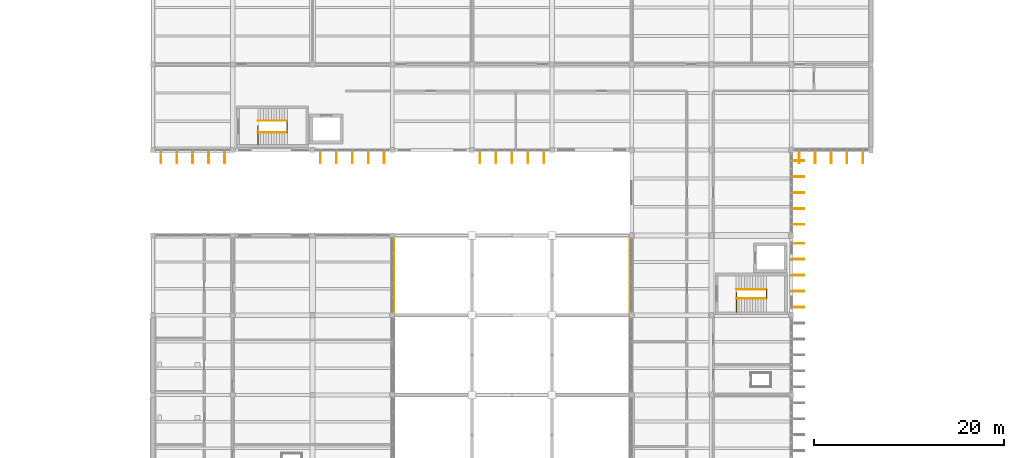
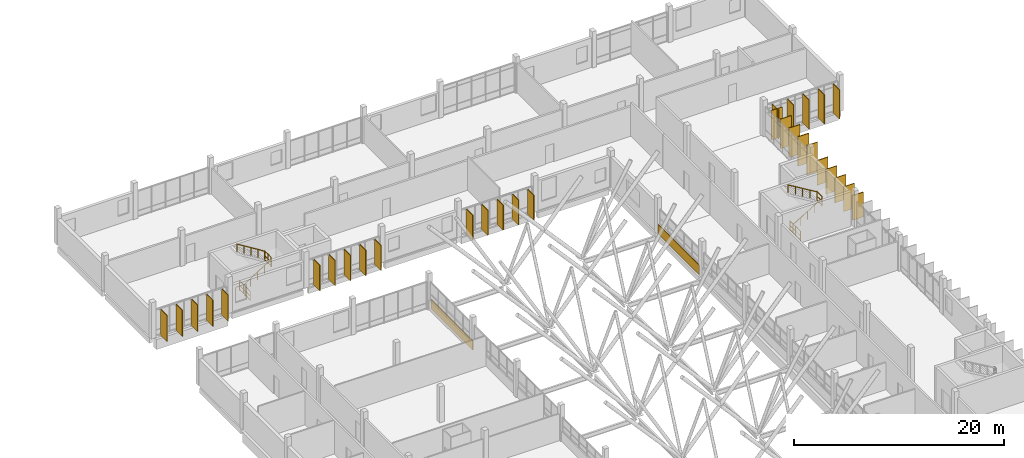
# One storey, part 106 of 107: 30 shading devices, 8 railings, 2 coverings.
"""IFC4 building model written with IfcOpenShell, lengths in metres."""

from ifc_helpers import new_model, si_unit, direction, frame, origin, origin_2d, place, context, subcontext, project, spatial, rectangle, circle, extrude, material, layer, layer_set, material_profile, profile_set, type_object, element, save


model = new_model("IFC4")

# Units and contexts
model_context = context("Model", 3, precision=1e-05, world=origin(), true_north=direction((0.0, 1.0)))
body_context = subcontext(model_context, "Body", "Model", "MODEL_VIEW")
ifc_project = project(units=[si_unit("LENGTHUNIT", "METRE"), si_unit("AREAUNIT", "SQUARE_METRE"), si_unit("VOLUMEUNIT", "CUBIC_METRE"), si_unit("PLANEANGLEUNIT", "RADIAN"), si_unit("MASSUNIT", "GRAM", prefix="KILO")], contexts=[model_context])

# Site, building, storey
site_placement = place(None, origin())
site = spatial("IfcSite", under=ifc_project, at=site_placement, CompositionType="ELEMENT")
building_placement = place(site_placement, origin())
building = spatial("IfcBuilding", under=site, at=building_placement, Name="Vireocrest Preparatory School", CompositionType="ELEMENT")
storey_placement = place(building_placement, frame((0.0, 0.0, 13.199951171875)))
storey = spatial("IfcBuildingStorey", under=building, at=storey_placement, Name="L03", CompositionType="ELEMENT", Elevation=13.199951171875)

# Railings
ifc_material_1 = material(Name="Brushed stainless steel AISI 316", Category="steel")
railing_type_1 = type_object("IfcRailingType", Name="Post-and-Rail Guard Balustrade 1120", PredefinedType="BALUSTRADE", material=ifc_material_1)
railing_1_placement = place(storey_placement, frame((53.080078125, 95.35009765625, 0.0)))
element("IfcRailing", 1, at=railing_1_placement, inside=storey, type_object=railing_type_1, Name="Arrival Landing Guard ST3-L02", PredefinedType="BALUSTRADE", context=body_context, shape_type="SweptSolid", body=[
    extrude(circle(Radius=0.02392578125, at=origin_2d()), frame((0.0, 0.0, 1.09619140625), z_axis=(0.0, 1.0, 0.0), x_axis=(-1.0, 0.0, 0.0)), (0.0, 0.0, 1.0), 2.02001953125),
    extrude(circle(Radius=0.01806640625, at=origin_2d()), frame((0.0, 0.0, 0.56005859375), z_axis=(0.0, 1.0, 0.0), x_axis=(-1.0, 0.0, 0.0)), (0.0, 0.0, 1.0), 2.02001953125),
    extrude(circle(Radius=0.01806640625, at=origin_2d()), frame((0.0, 0.0, 0.10009765625), z_axis=(0.0, 1.0, 0.0), x_axis=(-1.0, 0.0, 0.0)), (0.0, 0.0, 1.0), 2.02001953125),
    extrude(circle(Radius=0.02099609375, at=origin_2d()), origin(), (0.0, 0.0, 1.0), 1.072021484375),
    extrude(circle(Radius=0.02099609375, at=origin_2d()), frame((0.0, 1.010009765625, 0.0)), (0.0, 0.0, 1.0), 1.072021484375),
    extrude(circle(Radius=0.02099609375, at=origin_2d()), frame((0.0, 2.02001953125, 0.0)), (0.0, 0.0, 1.0), 1.072021484375),
])
railing_2_placement = place(storey_placement, frame((56.1201171875, 96.6298828125, 2.10009765625)))
element("IfcRailing", 2, at=railing_2_placement, inside=storey, type_object=railing_type_1, Name="Half-Landing Well Guard ST3-L03", PredefinedType="BALUSTRADE", context=body_context, shape_type="SweptSolid", body=[
    extrude(circle(Radius=0.02392578125, at=origin_2d()), frame((0.0, 0.0, 1.09619140625), z_axis=(0.0, 1.0, 0.0), x_axis=(-1.0, 0.0, 0.0)), (0.0, 0.0, 1.0), 1.240234375),
    extrude(circle(Radius=0.01806640625, at=origin_2d()), frame((0.0, 0.0, 0.56005859375), z_axis=(0.0, 1.0, 0.0), x_axis=(-1.0, 0.0, 0.0)), (0.0, 0.0, 1.0), 1.240234375),
    extrude(circle(Radius=0.01806640625, at=origin_2d()), frame((0.0, 0.0, 0.10009765625), z_axis=(0.0, 1.0, 0.0), x_axis=(-1.0, 0.0, 0.0)), (0.0, 0.0, 1.0), 1.240234375),
    extrude(circle(Radius=0.02099609375, at=origin_2d()), origin(), (0.0, 0.0, 1.0), 1.072021484375),
    extrude(circle(Radius=0.02099609375, at=origin_2d()), frame((0.0, 0.6201171875, 0.0)), (0.0, 0.0, 1.0), 1.072021484375),
    extrude(circle(Radius=0.02099609375, at=origin_2d()), frame((0.0, 1.240234375, 0.0)), (0.0, 0.0, 1.0), 1.072021484375),
])
railing_3_placement = place(storey_placement, frame((103.425048828125, 77.75, 0.0)))
element("IfcRailing", 3, at=railing_3_placement, inside=storey, type_object=railing_type_1, Name="Arrival Landing Guard ST4-L02", PredefinedType="BALUSTRADE", context=body_context, shape_type="SweptSolid", body=[
    extrude(circle(Radius=0.02392578125, at=origin_2d()), frame((0.0, 0.0, 1.09619140625), z_axis=(0.0, 1.0, 0.0), x_axis=(-1.0, 0.0, 0.0)), (0.0, 0.0, 1.0), 2.02001953125),
    extrude(circle(Radius=0.01806640625, at=origin_2d()), frame((0.0, 0.0, 0.56005859375), z_axis=(0.0, 1.0, 0.0), x_axis=(-1.0, 0.0, 0.0)), (0.0, 0.0, 1.0), 2.02001953125),
    extrude(circle(Radius=0.01806640625, at=origin_2d()), frame((0.0, 0.0, 0.10009765625), z_axis=(0.0, 1.0, 0.0), x_axis=(-1.0, 0.0, 0.0)), (0.0, 0.0, 1.0), 2.02001953125),
    extrude(circle(Radius=0.02099609375, at=origin_2d()), origin(), (0.0, 0.0, 1.0), 1.072021484375),
    extrude(circle(Radius=0.02099609375, at=origin_2d()), frame((0.0, 1.010009765625, 0.0)), (0.0, 0.0, 1.0), 1.072021484375),
    extrude(circle(Radius=0.02099609375, at=origin_2d()), frame((0.0, 2.02001953125, 0.0)), (0.0, 0.0, 1.0), 1.072021484375),
])
railing_4_placement = place(storey_placement, frame((106.574951171875, 79.179931640625, 2.10009765625)))
element("IfcRailing", 4, at=railing_4_placement, inside=storey, type_object=railing_type_1, Name="Half-Landing Well Guard ST4-L03", PredefinedType="BALUSTRADE", context=body_context, shape_type="SweptSolid", body=[
    extrude(circle(Radius=0.02392578125, at=origin_2d()), frame((0.0, 0.0, 1.09619140625), z_axis=(0.0, 1.0, 0.0), x_axis=(-1.0, 0.0, 0.0)), (0.0, 0.0, 1.0), 0.940185546875),
    extrude(circle(Radius=0.01806640625, at=origin_2d()), frame((0.0, 0.0, 0.56005859375), z_axis=(0.0, 1.0, 0.0), x_axis=(-1.0, 0.0, 0.0)), (0.0, 0.0, 1.0), 0.940185546875),
    extrude(circle(Radius=0.01806640625, at=origin_2d()), frame((0.0, 0.0, 0.10009765625), z_axis=(0.0, 1.0, 0.0), x_axis=(-1.0, 0.0, 0.0)), (0.0, 0.0, 1.0), 0.940185546875),
    extrude(circle(Radius=0.02099609375, at=origin_2d()), origin(), (0.0, 0.0, 1.0), 1.072021484375),
    extrude(circle(Radius=0.02099609375, at=origin_2d()), frame((0.0, 0.940185546875, 0.0)), (0.0, 0.0, 1.0), 1.072021484375),
])
railing_type_2 = type_object("IfcRailingType", Name="Stair Pitch Handrail 900", PredefinedType="HANDRAIL", material=ifc_material_1)
railing_5_placement = place(storey_placement, frame((53.06005859375, 96.6298828125, 0.175048828125)))
element("IfcRailing", 5, at=railing_5_placement, inside=storey, type_object=railing_type_2, Name="Stair Handrail ST3-L03-HR1", PredefinedType="HANDRAIL", context=body_context, shape_type="SweptSolid", body=[
    extrude(circle(Radius=0.02392578125, at=origin_2d()), frame((0.0, 0.0, 0.8759765625), z_axis=(0.847979421464, 0.0, 0.530029150871), x_axis=(0.0, 1.0, 0.0)), (0.0, 0.0, 1.0), 3.632080078125),
    extrude(circle(Radius=0.02099609375, at=origin_2d()), origin(), (0.0, 0.0, 1.0), 0.851806640625),
    extrude(circle(Radius=0.02099609375, at=origin_2d()), frame((0.77001953125, 0.0, 0.481201171875)), (0.0, 0.0, 1.0), 0.851806640625),
    extrude(circle(Radius=0.02099609375, at=origin_2d()), frame((1.5400390625, 0.0, 0.96240234375)), (0.0, 0.0, 1.0), 0.851806640625),
    extrude(circle(Radius=0.02099609375, at=origin_2d()), frame((2.309814453125, 0.0, 1.44384765625)), (0.0, 0.0, 1.0), 0.851806640625),
    extrude(circle(Radius=0.02099609375, at=origin_2d()), frame((3.079833984375, 0.0, 1.925048828125)), (0.0, 0.0, 1.0), 0.851806640625),
])
railing_6_placement = place(storey_placement, frame((56.139892578125, 97.8701171875, 2.275146484375)))
element("IfcRailing", 6, at=railing_6_placement, inside=storey, type_object=railing_type_2, Name="Stair Handrail ST3-L03-HR2", PredefinedType="HANDRAIL", context=body_context, shape_type="SweptSolid", body=[
    extrude(circle(Radius=0.02392578125, at=origin_2d()), frame((0.0, 0.0, 0.8759765625), z_axis=(-0.848009633417, 0.0, 0.529980812513), x_axis=(0.0, -1.0, 0.0)), (0.0, 0.0, 1.0), 3.6318359375),
    extrude(circle(Radius=0.02099609375, at=origin_2d()), origin(), (0.0, 0.0, 1.0), 0.851806640625),
    extrude(circle(Radius=0.02099609375, at=origin_2d()), frame((-0.77001953125, 0.0, 0.481201171875)), (0.0, 0.0, 1.0), 0.851806640625),
    extrude(circle(Radius=0.02099609375, at=origin_2d()), frame((-1.5400390625, 0.0, 0.96240234375)), (0.0, 0.0, 1.0), 0.851806640625),
    extrude(circle(Radius=0.02099609375, at=origin_2d()), frame((-2.309814453125, 0.0, 1.443603515625)), (0.0, 0.0, 1.0), 0.851806640625),
    extrude(circle(Radius=0.02099609375, at=origin_2d()), frame((-3.079833984375, 0.0, 1.9248046875)), (0.0, 0.0, 1.0), 0.851806640625),
])
railing_7_placement = place(storey_placement, frame((103.405029296875, 79.179931640625, 0.175048828125)))
element("IfcRailing", 7, at=railing_7_placement, inside=storey, type_object=railing_type_2, Name="Stair Handrail ST4-L03-HR1", PredefinedType="HANDRAIL", context=body_context, shape_type="SweptSolid", body=[
    extrude(circle(Radius=0.02392578125, at=origin_2d()), frame((0.0, 0.0, 0.8759765625), z_axis=(0.856177665481, 0.0, 0.516681531633), x_axis=(0.0, 1.0, 0.0)), (0.0, 0.0, 1.0), 3.725830078125),
    extrude(circle(Radius=0.02099609375, at=origin_2d()), origin(), (0.0, 0.0, 1.0), 0.851806640625),
    extrude(circle(Radius=0.02099609375, at=origin_2d()), frame((0.79736328125, 0.0, 0.481201171875)), (0.0, 0.0, 1.0), 0.851806640625),
    extrude(circle(Radius=0.02099609375, at=origin_2d()), frame((1.594970703125, 0.0, 0.96240234375)), (0.0, 0.0, 1.0), 0.851806640625),
    extrude(circle(Radius=0.02099609375, at=origin_2d()), frame((2.392578125, 0.0, 1.44384765625)), (0.0, 0.0, 1.0), 0.851806640625),
    extrude(circle(Radius=0.02099609375, at=origin_2d()), frame((3.18994140625, 0.0, 1.925048828125)), (0.0, 0.0, 1.0), 0.851806640625),
])
railing_8_placement = place(storey_placement, frame((106.594970703125, 80.1201171875, 2.275146484375)))
element("IfcRailing", 8, at=railing_8_placement, inside=storey, type_object=railing_type_2, Name="Stair Handrail ST4-L03-HR2", PredefinedType="HANDRAIL", context=body_context, shape_type="SweptSolid", body=[
    extrude(circle(Radius=0.02392578125, at=origin_2d()), frame((0.0, 0.0, 0.8759765625), z_axis=(-0.856206652436, 0.0, 0.516633495163), x_axis=(0.0, -1.0, 0.0)), (0.0, 0.0, 1.0), 3.7255859375),
    extrude(circle(Radius=0.02099609375, at=origin_2d()), origin(), (0.0, 0.0, 1.0), 0.851806640625),
    extrude(circle(Radius=0.02099609375, at=origin_2d()), frame((-0.79736328125, 0.0, 0.481201171875)), (0.0, 0.0, 1.0), 0.851806640625),
    extrude(circle(Radius=0.02099609375, at=origin_2d()), frame((-1.594970703125, 0.0, 0.96240234375)), (0.0, 0.0, 1.0), 0.851806640625),
    extrude(circle(Radius=0.02099609375, at=origin_2d()), frame((-2.392578125, 0.0, 1.443603515625)), (0.0, 0.0, 1.0), 0.851806640625),
    extrude(circle(Radius=0.02099609375, at=origin_2d()), frame((-3.18994140625, 0.0, 1.9248046875)), (0.0, 0.0, 1.0), 0.851806640625),
])

# Shading devices
ifc_material_2 = material(Name="Warm anodised aluminium EN AW-6063-T6", Category="aluminium")
ifc_material_profile = material_profile(ifc_material_2, rectangle(XDim=0.080078125, YDim=1.199951171875, at=origin_2d()), Name="FIN 80x1200")
ifc_profile_set = profile_set([ifc_material_profile], Name="Warm anodised aluminium EN AW-6063-T6")
shading_device_type = type_object("IfcShadingDeviceType", Name="Vertical Anodised Aluminium Solar Fin 1200", PredefinedType="USERDEFINED", material=ifc_profile_set)
for number, where, z_axis, x_axis, name in (
    (9, (109.97998046875, 86.93994140625, 0.02001953125), (0.0, 0.0, 1.0), (0.0, -1.0, 0.0), "Vertical Solar Fin FN1 L03-40-1"),
    (10, (109.97998046875, 88.6201171875, 0.02001953125), (0.0, 0.0, 1.0), (0.0, -1.0, 0.0), "Vertical Solar Fin FN1 L03-40-2"),
    (11, (109.97998046875, 90.300048828125, 0.02001953125), (0.0, 0.0, 1.0), (0.0, -1.0, 0.0), "Vertical Solar Fin FN1 L03-40-3"),
    (12, (109.97998046875, 91.97998046875, 0.02001953125), (0.0, 0.0, 1.0), (0.0, -1.0, 0.0), "Vertical Solar Fin FN1 L03-40-4"),
    (13, (109.97998046875, 93.659912109375, 0.02001953125), (0.0, 0.0, 1.0), (0.0, -1.0, 0.0), "Vertical Solar Fin FN1 L03-40-5"),
):
    element("IfcShadingDevice", number, at=place(storey_placement, frame(where, z_axis=z_axis, x_axis=x_axis)), inside=storey, type_object=shading_device_type, Name=name, ObjectType="FIN", PredefinedType="USERDEFINED", context=body_context, shape_type="SweptSolid", body=[
        extrude(rectangle(XDim=0.080078125, YDim=1.199951171875, at=origin_2d()), origin(), (0.0, 0.0, 1.0), 3.419921875),
    ])
for number, where, z_axis, x_axis, name in (
    (14, (110.0400390625, 94.02001953125, 0.02001953125), (0.0, 0.0, 1.0), (-1.0, 0.0, 0.0), "Vertical Solar Fin FN1 L03-41-1"),
    (15, (111.719970703125, 94.02001953125, 0.02001953125), (0.0, 0.0, 1.0), (-1.0, 0.0, 0.0), "Vertical Solar Fin FN1 L03-41-2"),
    (16, (113.39990234375, 94.02001953125, 0.02001953125), (0.0, 0.0, 1.0), (-1.0, 0.0, 0.0), "Vertical Solar Fin FN1 L03-41-3"),
    (17, (115.080078125, 94.02001953125, 0.02001953125), (0.0, 0.0, 1.0), (-1.0, 0.0, 0.0), "Vertical Solar Fin FN1 L03-41-4"),
    (18, (116.760009765625, 94.02001953125, 0.02001953125), (0.0, 0.0, 1.0), (-1.0, 0.0, 0.0), "Vertical Solar Fin FN1 L03-41-5"),
):
    element("IfcShadingDevice", number, at=place(storey_placement, frame(where, z_axis=z_axis, x_axis=x_axis)), inside=storey, type_object=shading_device_type, Name=name, ObjectType="FIN", PredefinedType="USERDEFINED", context=body_context, shape_type="SweptSolid", body=[
        extrude(rectangle(XDim=0.080078125, YDim=1.199951171875, at=origin_2d()), origin(), (0.0, 0.0, 1.0), 3.3701171875),
    ])
for number, where, z_axis, x_axis, name in (
    (19, (42.840087890625, 94.02001953125, 0.02001953125), (0.0, 0.0, 1.0), (-1.0, 0.0, 0.0), "Vertical Solar Fin FN1 L03-42-1"),
    (20, (44.52001953125, 94.02001953125, 0.02001953125), (0.0, 0.0, 1.0), (-1.0, 0.0, 0.0), "Vertical Solar Fin FN1 L03-42-2"),
    (21, (46.199951171875, 94.02001953125, 0.02001953125), (0.0, 0.0, 1.0), (-1.0, 0.0, 0.0), "Vertical Solar Fin FN1 L03-42-3"),
    (22, (47.8798828125, 94.02001953125, 0.02001953125), (0.0, 0.0, 1.0), (-1.0, 0.0, 0.0), "Vertical Solar Fin FN1 L03-42-4"),
    (23, (49.56005859375, 94.02001953125, 0.02001953125), (0.0, 0.0, 1.0), (-1.0, 0.0, 0.0), "Vertical Solar Fin FN1 L03-42-5"),
):
    element("IfcShadingDevice", number, at=place(storey_placement, frame(where, z_axis=z_axis, x_axis=x_axis)), inside=storey, type_object=shading_device_type, Name=name, ObjectType="FIN", PredefinedType="USERDEFINED", context=body_context, shape_type="SweptSolid", body=[
        extrude(rectangle(XDim=0.080078125, YDim=1.199951171875, at=origin_2d()), origin(), (0.0, 0.0, 1.0), 3.050048828125),
    ])
for number, where, z_axis, x_axis, name in (
    (24, (59.639892578125, 94.02001953125, 0.02001953125), (0.0, 0.0, 1.0), (-1.0, 0.0, 0.0), "Vertical Solar Fin FN1 L03-43-1"),
    (25, (61.320068359375, 94.02001953125, 0.02001953125), (0.0, 0.0, 1.0), (-1.0, 0.0, 0.0), "Vertical Solar Fin FN1 L03-43-2"),
    (26, (63.0, 94.02001953125, 0.02001953125), (0.0, 0.0, 1.0), (-1.0, 0.0, 0.0), "Vertical Solar Fin FN1 L03-43-3"),
    (27, (64.679931640625, 94.02001953125, 0.02001953125), (0.0, 0.0, 1.0), (-1.0, 0.0, 0.0), "Vertical Solar Fin FN1 L03-43-4"),
    (28, (66.360107421875, 94.02001953125, 0.02001953125), (0.0, 0.0, 1.0), (-1.0, 0.0, 0.0), "Vertical Solar Fin FN1 L03-43-5"),
):
    element("IfcShadingDevice", number, at=place(storey_placement, frame(where, z_axis=z_axis, x_axis=x_axis)), inside=storey, type_object=shading_device_type, Name=name, ObjectType="FIN", PredefinedType="USERDEFINED", context=body_context, shape_type="SweptSolid", body=[
        extrude(rectangle(XDim=0.080078125, YDim=1.199951171875, at=origin_2d()), origin(), (0.0, 0.0, 1.0), 2.949951171875),
    ])
for number, where, z_axis, x_axis, name in (
    (29, (76.43994140625, 94.02001953125, 0.02001953125), (0.0, 0.0, 1.0), (-1.0, 0.0, 0.0), "Vertical Solar Fin FN1 L03-44-1"),
    (30, (78.1201171875, 94.02001953125, 0.02001953125), (0.0, 0.0, 1.0), (-1.0, 0.0, 0.0), "Vertical Solar Fin FN1 L03-44-2"),
    (31, (79.800048828125, 94.02001953125, 0.02001953125), (0.0, 0.0, 1.0), (-1.0, 0.0, 0.0), "Vertical Solar Fin FN1 L03-44-3"),
    (32, (81.47998046875, 94.02001953125, 0.02001953125), (0.0, 0.0, 1.0), (-1.0, 0.0, 0.0), "Vertical Solar Fin FN1 L03-44-4"),
    (33, (83.159912109375, 94.02001953125, 0.02001953125), (0.0, 0.0, 1.0), (-1.0, 0.0, 0.0), "Vertical Solar Fin FN1 L03-44-5"),
):
    element("IfcShadingDevice", number, at=place(storey_placement, frame(where, z_axis=z_axis, x_axis=x_axis)), inside=storey, type_object=shading_device_type, Name=name, ObjectType="FIN", PredefinedType="USERDEFINED", context=body_context, shape_type="SweptSolid", body=[
        extrude(rectangle(XDim=0.080078125, YDim=1.199951171875, at=origin_2d()), origin(), (0.0, 0.0, 1.0), 2.900146484375),
    ])
for number, where, z_axis, x_axis, name in (
    (34, (109.97998046875, 78.239990234375, 0.02001953125), (0.0, 0.0, 1.0), (0.0, -1.0, 0.0), "Vertical Solar Fin FN1 L03-51-1"),
    (35, (109.97998046875, 79.919921875, 0.02001953125), (0.0, 0.0, 1.0), (0.0, -1.0, 0.0), "Vertical Solar Fin FN1 L03-51-2"),
    (36, (109.97998046875, 81.60009765625, 0.02001953125), (0.0, 0.0, 1.0), (0.0, -1.0, 0.0), "Vertical Solar Fin FN1 L03-51-3"),
    (37, (109.97998046875, 83.280029296875, 0.02001953125), (0.0, 0.0, 1.0), (0.0, -1.0, 0.0), "Vertical Solar Fin FN1 L03-51-4"),
    (38, (109.97998046875, 84.9599609375, 0.02001953125), (0.0, 0.0, 1.0), (0.0, -1.0, 0.0), "Vertical Solar Fin FN1 L03-51-5"),
):
    element("IfcShadingDevice", number, at=place(storey_placement, frame(where, z_axis=z_axis, x_axis=x_axis)), inside=storey, type_object=shading_device_type, Name=name, ObjectType="FIN", PredefinedType="USERDEFINED", context=body_context, shape_type="SweptSolid", body=[
        extrude(rectangle(XDim=0.080078125, YDim=1.199951171875, at=origin_2d()), origin(), (0.0, 0.0, 1.0), 2.880126953125),
    ])

# Coverings
ifc_material_3 = material(Name="Painted white aluminium cladding EN AW-6063-T6", Category="aluminium")
ifc_layer = layer(ifc_material_3, 0.044921875)
ifc_layer_set = layer_set([ifc_layer], Name="Painted white aluminium cladding EN AW-6063-T6")
covering_type = type_object("IfcCoveringType", Name="White High-Tech Horizontal Spandrel Cladding Band", PredefinedType="CLADDING", material=ifc_layer_set)
covering_1_placement = place(storey_placement, frame((67.3349609375, 81.60009765625, 0.030029296875), z_axis=(0.0, 0.0, 1.0), x_axis=(1.0, 0.0, 0.0)))
element("IfcCovering", 39, at=covering_1_placement, inside=storey, type_object=covering_type, Name="White Court Spandrel Band L03-0315", PredefinedType="CLADDING", context=body_context, shape_type="SweptSolid", body=[
    extrude(rectangle(XDim=0.0849609375, YDim=7.949951171875, at=origin_2d()), origin(), (0.0, 0.0, 1.0), 1.10009765625),
])
covering_2_placement = place(storey_placement, frame((92.264892578125, 81.60009765625, 0.030029296875), z_axis=(0.0, 0.0, 1.0), x_axis=(1.0, 0.0, 0.0)))
element("IfcCovering", 40, at=covering_2_placement, inside=storey, type_object=covering_type, Name="White Court Spandrel Band L03-0346", PredefinedType="CLADDING", context=body_context, shape_type="SweptSolid", body=[
    extrude(rectangle(XDim=0.0849609375, YDim=7.85009765625, at=origin_2d()), origin(), (0.0, 0.0, 1.0), 1.10009765625),
])

save(model, "model.ifc")
